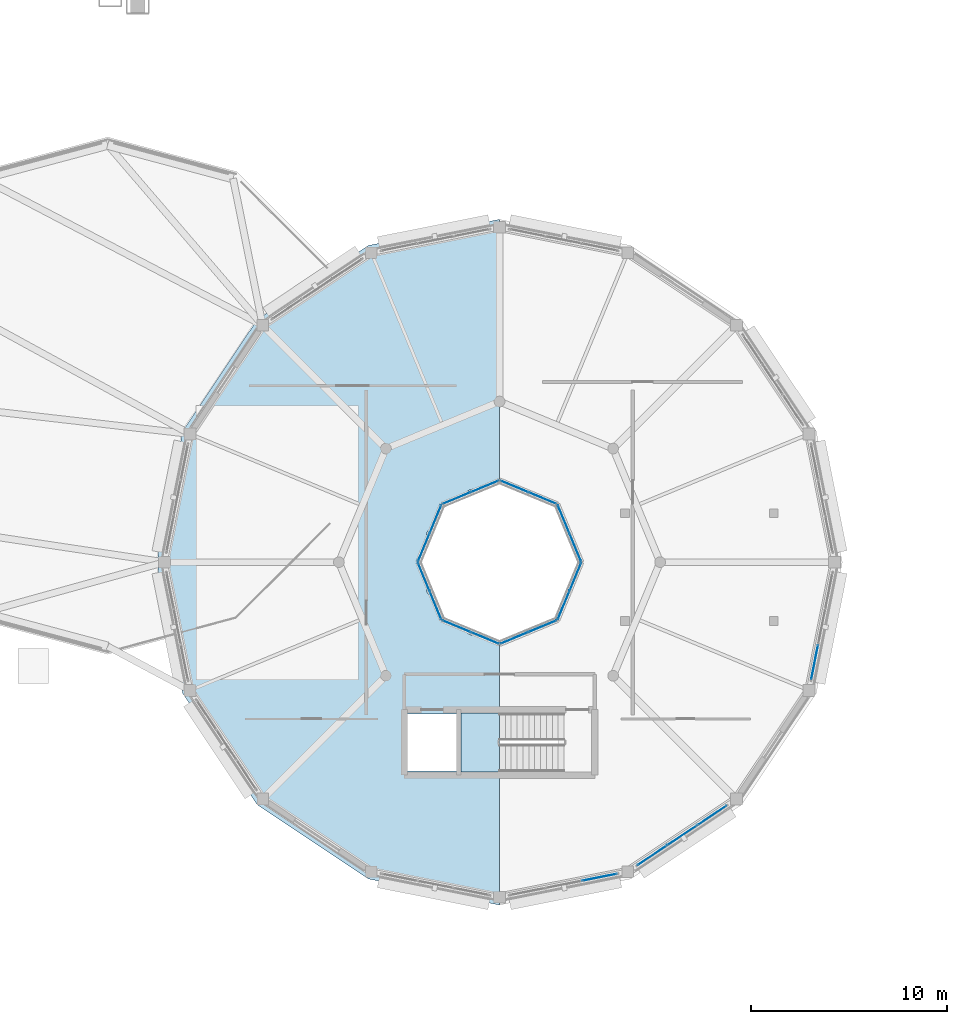
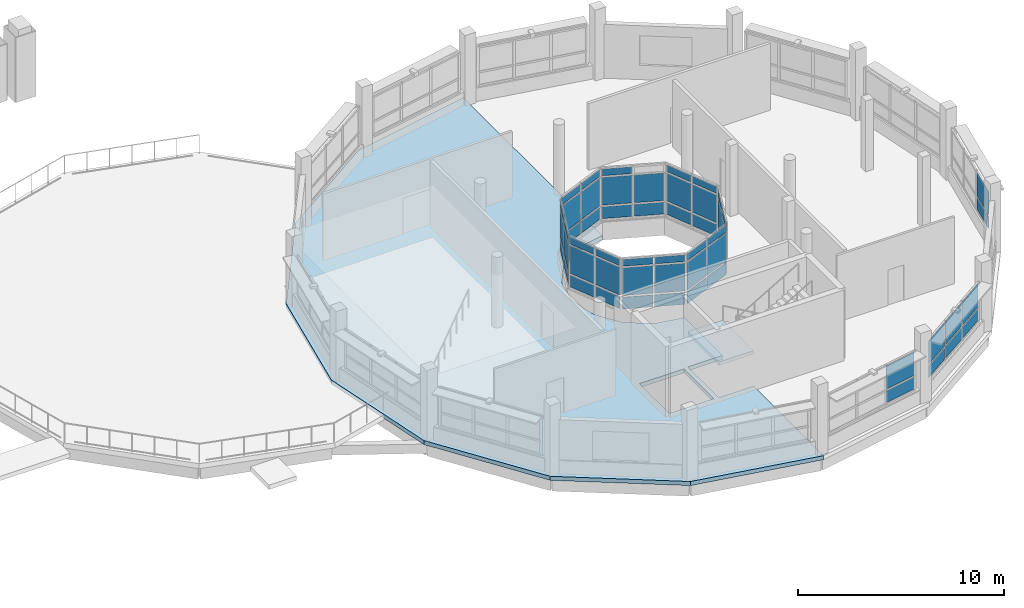
# One storey, part 105 of 128: 57 plates, 2 slabs, 12 elements without a shape of their own.
"""IFC4 building model written with IfcOpenShell, lengths in metres."""

from ifc_helpers import new_model, si_unit, direction, frame, origin, origin_2d, place, context, subcontext, project, spatial, polyline, rectangle, outline, extrude, material, layer, layer_set, type_object, element, aggregate, save


model = new_model("IFC4")

# Units and contexts
model_context = context("Model", 3, precision=1e-05, world=origin(), true_north=direction((0.0, 1.0)))
body_context = subcontext(model_context, "Body", "Model", "MODEL_VIEW")
ifc_project = project(units=[si_unit("LENGTHUNIT", "METRE"), si_unit("AREAUNIT", "SQUARE_METRE"), si_unit("VOLUMEUNIT", "CUBIC_METRE"), si_unit("PLANEANGLEUNIT", "RADIAN"), si_unit("MASSUNIT", "GRAM", prefix="KILO")], contexts=[model_context])

# Site, building, storey
site_placement = place(None, origin())
site = spatial("IfcSite", under=ifc_project, at=site_placement, CompositionType="ELEMENT")
building_placement = place(site_placement, origin())
building = spatial("IfcBuilding", under=site, at=building_placement, Name="Vespera Passage Community Centre", CompositionType="ELEMENT")
storey_placement = place(building_placement, frame((0.0, 0.0, 4.5)))
storey = spatial("IfcBuildingStorey", under=building, at=storey_placement, Name="L01", CompositionType="ELEMENT", Elevation=4.5)

# Curtain wall, plates
ifc_material_1 = material(Name="Anodized aluminium 6063-T6", Category="aluminium")
ifc_layer_1 = layer(ifc_material_1, 0.159912109375)
ifc_layer_set_1 = layer_set([ifc_layer_1], Name="Anodized aluminium 6063-T6")
curtain_wall_type_1 = type_object("IfcCurtainWallType", Name="CW-105E", PredefinedType="NOTDEFINED", material=ifc_layer_set_1)
curtain_wall_1_placement = place(storey_placement, origin())
curtain_wall_1 = element("IfcCurtainWall", 1, at=curtain_wall_1_placement, inside=storey, type_object=curtain_wall_type_1, Name="Dining Drum Ribbon Curtain Wall L01.13", PredefinedType="NOTDEFINED")
ifc_material_2 = material(Name="Low-E insulated vision glass", Category="glass")
ifc_layer_2 = layer(ifc_material_2, 0.02001953125)
ifc_layer_set_2 = layer_set([ifc_layer_2], Name="Low-E insulated vision glass")
plate_type = type_object("IfcPlateType", Name="PL-CWP-20E", PredefinedType="CURTAIN_PANEL", material=ifc_layer_set_2)
plate_1_placement = place(storey_placement, frame((146.1064453125, 8.915771484375, 0.89990234375), z_axis=(0.0, 0.0, 1.0), x_axis=(-0.980783996069, -0.195096778691, 0.0)))
plate_1 = element("IfcPlate", 2, at=plate_1_placement, type_object=plate_type, Name="CW-105E panel 1.1", PredefinedType="CURTAIN_PANEL", context=body_context, shape_type="SweptSolid", body=[
    extrude(rectangle(XDim=1.789306640625, YDim=0.02001953125, at=origin_2d()), origin(), (0.0, 0.0, 1.0), 0.699951171875),
])
plate_2_placement = place(storey_placement, frame((146.1064453125, 8.915771484375, 1.699951171875), z_axis=(0.0, 0.0, 1.0), x_axis=(-0.980783996069, -0.195096778691, 0.0)))
plate_2 = element("IfcPlate", 3, at=plate_2_placement, type_object=plate_type, Name="CW-105E panel 1.2", PredefinedType="CURTAIN_PANEL", context=body_context, shape_type="SweptSolid", body=[
    extrude(rectangle(XDim=1.789306640625, YDim=0.02001953125, at=origin_2d()), origin(), (0.0, 0.0, 1.0), 1.375),
])
aggregate(curtain_wall_1, [plate_1, plate_2])

ifc_material_3 = material(Name="Anodized aluminium 6063-T6", Category="aluminium")
ifc_layer_3 = layer(ifc_material_3, 0.159912109375)
ifc_layer_set_3 = layer_set([ifc_layer_3], Name="Anodized aluminium 6063-T6")
curtain_wall_type_2 = type_object("IfcCurtainWallType", Name="CW-106E", PredefinedType="NOTDEFINED", material=ifc_layer_set_3)
curtain_wall_2_placement = place(storey_placement, origin())
curtain_wall_2 = element("IfcCurtainWall", 4, at=curtain_wall_2_placement, inside=storey, type_object=curtain_wall_type_2, Name="Dining Drum Ribbon Curtain Wall L01.14", PredefinedType="NOTDEFINED")
plate_3_placement = place(storey_placement, frame((151.842529296875, 12.073974609375, 0.89990234375), z_axis=(0.0, 0.0, 1.0), x_axis=(-0.831473308708, -0.555564700918, 0.0)))
plate_3 = element("IfcPlate", 5, at=plate_3_placement, type_object=plate_type, Name="CW-106E panel 1.1", PredefinedType="CURTAIN_PANEL", context=body_context, shape_type="SweptSolid", body=[
    extrude(rectangle(XDim=1.752685546875, YDim=0.02001953125, at=origin_2d()), origin(), (0.0, 0.0, 1.0), 0.699951171875),
])
plate_4_placement = place(storey_placement, frame((151.842529296875, 12.073974609375, 1.699951171875), z_axis=(0.0, 0.0, 1.0), x_axis=(-0.831473308708, -0.555564700918, 0.0)))
plate_4 = element("IfcPlate", 6, at=plate_4_placement, type_object=plate_type, Name="CW-106E panel 1.2", PredefinedType="CURTAIN_PANEL", context=body_context, shape_type="SweptSolid", body=[
    extrude(rectangle(XDim=1.752685546875, YDim=0.02001953125, at=origin_2d()), origin(), (0.0, 0.0, 1.0), 1.375),
])
plate_5_placement = place(storey_placement, frame((150.317626953125, 11.05517578125, 0.89990234375), z_axis=(0.0, 0.0, 1.0), x_axis=(-0.831473308708, -0.555564700918, 0.0)))
plate_5 = element("IfcPlate", 7, at=plate_5_placement, type_object=plate_type, Name="CW-106E panel 2.1", PredefinedType="CURTAIN_PANEL", context=body_context, shape_type="SweptSolid", body=[
    extrude(rectangle(XDim=1.78515625, YDim=0.02001953125, at=origin_2d()), origin(), (0.0, 0.0, 1.0), 0.699951171875),
])
plate_6_placement = place(storey_placement, frame((150.317626953125, 11.05517578125, 1.699951171875), z_axis=(0.0, 0.0, 1.0), x_axis=(-0.831473308708, -0.555564700918, 0.0)))
plate_6 = element("IfcPlate", 8, at=plate_6_placement, type_object=plate_type, Name="CW-106E panel 2.2", PredefinedType="CURTAIN_PANEL", context=body_context, shape_type="SweptSolid", body=[
    extrude(rectangle(XDim=1.78515625, YDim=0.02001953125, at=origin_2d()), origin(), (0.0, 0.0, 1.0), 1.375),
])
plate_7_placement = place(storey_placement, frame((148.79296875, 10.036376953125, 0.89990234375), z_axis=(0.0, 0.0, 1.0), x_axis=(-0.831473308708, -0.555564700918, 0.0)))
plate_7 = element("IfcPlate", 9, at=plate_7_placement, type_object=plate_type, Name="CW-106E panel 3.1", PredefinedType="CURTAIN_PANEL", context=body_context, shape_type="SweptSolid", body=[
    extrude(rectangle(XDim=1.752685546875, YDim=0.02001953125, at=origin_2d()), origin(), (0.0, 0.0, 1.0), 0.699951171875),
])
plate_8_placement = place(storey_placement, frame((148.79296875, 10.036376953125, 1.699951171875), z_axis=(0.0, 0.0, 1.0), x_axis=(-0.831473308708, -0.555564700918, 0.0)))
plate_8 = element("IfcPlate", 10, at=plate_8_placement, type_object=plate_type, Name="CW-106E panel 3.2", PredefinedType="CURTAIN_PANEL", context=body_context, shape_type="SweptSolid", body=[
    extrude(rectangle(XDim=1.752685546875, YDim=0.02001953125, at=origin_2d()), origin(), (0.0, 0.0, 1.0), 1.375),
])
aggregate(curtain_wall_2, [plate_3, plate_4, plate_5, plate_6, plate_7, plate_8])

curtain_wall_3_placement = place(storey_placement, origin())
curtain_wall_3 = element("IfcCurtainWall", 11, at=curtain_wall_3_placement, inside=storey, type_object=curtain_wall_type_1, Name="Dining Drum Ribbon Curtain Wall L01.16", PredefinedType="NOTDEFINED")
plate_9_placement = place(storey_placement, frame((157.084228515625, 19.8935546875, 0.89990234375), z_axis=(0.0, 0.0, 1.0), x_axis=(-0.195096778691, -0.980783996069, 0.0)))
plate_9 = element("IfcPlate", 12, at=plate_9_placement, type_object=plate_type, Name="CW-105E panel 3.1", PredefinedType="CURTAIN_PANEL", context=body_context, shape_type="SweptSolid", body=[
    extrude(rectangle(XDim=1.789306640625, YDim=0.02001953125, at=origin_2d()), origin(), (0.0, 0.0, 1.0), 0.699951171875),
])
plate_10_placement = place(storey_placement, frame((157.084228515625, 19.8935546875, 1.699951171875), z_axis=(0.0, 0.0, 1.0), x_axis=(-0.195096778691, -0.980783996069, 0.0)))
plate_10 = element("IfcPlate", 13, at=plate_10_placement, type_object=plate_type, Name="CW-105E panel 3.2", PredefinedType="CURTAIN_PANEL", context=body_context, shape_type="SweptSolid", body=[
    extrude(rectangle(XDim=1.789306640625, YDim=0.02001953125, at=origin_2d()), origin(), (0.0, 0.0, 1.0), 1.375),
])
aggregate(curtain_wall_3, [plate_9, plate_10])

ifc_material_4 = material(Name="Anodized aluminium 6063-T6", Category="aluminium")
ifc_layer_4 = layer(ifc_material_4, 0.159912109375)
ifc_layer_set_4 = layer_set([ifc_layer_4], Name="Anodized aluminium 6063-T6")
curtain_wall_type_3 = type_object("IfcCurtainWallType", Name="CW-107E", PredefinedType="NOTDEFINED", material=ifc_layer_set_4)
curtain_wall_4_placement = place(storey_placement, origin())
curtain_wall_4 = element("IfcCurtainWall", 14, at=curtain_wall_4_placement, inside=storey, type_object=curtain_wall_type_3, Name="V3 L01 Inner Court Ribbon Curtain Wall 1", PredefinedType="NOTDEFINED")
plate_11_placement = place(storey_placement, frame((144.86767578125, 25.75390625, 0.89990234375), z_axis=(0.0, 0.0, 1.0), x_axis=(-0.382685826549, 0.923878540804, 0.0)))
plate_11 = element("IfcPlate", 15, at=plate_11_placement, type_object=plate_type, Name="CW-107E panel 1.1", PredefinedType="CURTAIN_PANEL", context=body_context, shape_type="SweptSolid", body=[
    extrude(rectangle(XDim=1.502197265625, YDim=0.02001953125, at=origin_2d()), origin(), (0.0, 0.0, 1.0), 0.699951171875),
])
plate_12_placement = place(storey_placement, frame((144.86767578125, 25.75390625, 1.7001953125), z_axis=(0.0, 0.0, 1.0), x_axis=(-0.382685826549, 0.923878540804, 0.0)))
plate_12 = element("IfcPlate", 16, at=plate_12_placement, type_object=plate_type, Name="CW-107E panel 1.2", PredefinedType="CURTAIN_PANEL", context=body_context, shape_type="SweptSolid", body=[
    extrude(rectangle(XDim=1.502197265625, YDim=0.02001953125, at=origin_2d()), origin(), (0.0, 0.0, 1.0), 1.639892578125),
])
plate_13_placement = place(storey_placement, frame((144.86767578125, 25.75390625, 3.43994140625), z_axis=(0.0, 0.0, 1.0), x_axis=(-0.382685826549, 0.923878540804, 0.0)))
plate_13 = element("IfcPlate", 17, at=plate_13_placement, type_object=plate_type, Name="CW-107E panel 1.3", PredefinedType="CURTAIN_PANEL", context=body_context, shape_type="SweptSolid", body=[
    extrude(rectangle(XDim=1.502197265625, YDim=0.02001953125, at=origin_2d()), origin(), (0.0, 0.0, 1.0), 0.39990234375),
])
plate_14_placement = place(storey_placement, frame((144.26806640625, 27.20166015625, 0.89990234375), z_axis=(0.0, 0.0, 1.0), x_axis=(-0.382685826549, 0.923878540804, 0.0)))
plate_14 = element("IfcPlate", 18, at=plate_14_placement, type_object=plate_type, Name="CW-107E panel 2.1", PredefinedType="CURTAIN_PANEL", context=body_context, shape_type="SweptSolid", body=[
    extrude(rectangle(XDim=1.502197265625, YDim=0.02001953125, at=origin_2d()), origin(), (0.0, 0.0, 1.0), 0.699951171875),
])
plate_15_placement = place(storey_placement, frame((144.26806640625, 27.20166015625, 1.7001953125), z_axis=(0.0, 0.0, 1.0), x_axis=(-0.382685826549, 0.923878540804, 0.0)))
plate_15 = element("IfcPlate", 19, at=plate_15_placement, type_object=plate_type, Name="CW-107E panel 2.2", PredefinedType="CURTAIN_PANEL", context=body_context, shape_type="SweptSolid", body=[
    extrude(rectangle(XDim=1.502197265625, YDim=0.02001953125, at=origin_2d()), origin(), (0.0, 0.0, 1.0), 1.639892578125),
])
plate_16_placement = place(storey_placement, frame((144.26806640625, 27.20166015625, 3.43994140625), z_axis=(0.0, 0.0, 1.0), x_axis=(-0.382685826549, 0.923878540804, 0.0)))
plate_16 = element("IfcPlate", 20, at=plate_16_placement, type_object=plate_type, Name="CW-107E panel 2.3", PredefinedType="CURTAIN_PANEL", context=body_context, shape_type="SweptSolid", body=[
    extrude(rectangle(XDim=1.502197265625, YDim=0.02001953125, at=origin_2d()), origin(), (0.0, 0.0, 1.0), 0.39990234375),
])
aggregate(curtain_wall_4, [plate_11, plate_12, plate_13, plate_14, plate_15, plate_16])

curtain_wall_5_placement = place(storey_placement, origin())
curtain_wall_5 = element("IfcCurtainWall", 21, at=curtain_wall_5_placement, inside=storey, type_object=curtain_wall_type_3, Name="V3 L01 Inner Court Ribbon Curtain Wall 2", PredefinedType="NOTDEFINED")
plate_17_placement = place(storey_placement, frame((143.20166015625, 28.26806640625, 0.89990234375), z_axis=(0.0, 0.0, 1.0), x_axis=(-0.923878540804, 0.382685826549, 0.0)))
plate_17 = element("IfcPlate", 22, at=plate_17_placement, type_object=plate_type, Name="CW-107E panel 1.1", PredefinedType="CURTAIN_PANEL", context=body_context, shape_type="SweptSolid", body=[
    extrude(rectangle(XDim=1.502197265625, YDim=0.02001953125, at=origin_2d()), origin(), (0.0, 0.0, 1.0), 0.699951171875),
])
plate_18_placement = place(storey_placement, frame((143.20166015625, 28.26806640625, 1.7001953125), z_axis=(0.0, 0.0, 1.0), x_axis=(-0.923878540804, 0.382685826549, 0.0)))
plate_18 = element("IfcPlate", 23, at=plate_18_placement, type_object=plate_type, Name="CW-107E panel 1.2", PredefinedType="CURTAIN_PANEL", context=body_context, shape_type="SweptSolid", body=[
    extrude(rectangle(XDim=1.502197265625, YDim=0.02001953125, at=origin_2d()), origin(), (0.0, 0.0, 1.0), 1.639892578125),
])
plate_19_placement = place(storey_placement, frame((141.75390625, 28.86767578125, 0.89990234375), z_axis=(0.0, 0.0, 1.0), x_axis=(-0.923878540804, 0.382685826549, 0.0)))
plate_19 = element("IfcPlate", 24, at=plate_19_placement, type_object=plate_type, Name="CW-107E panel 2.1", PredefinedType="CURTAIN_PANEL", context=body_context, shape_type="SweptSolid", body=[
    extrude(rectangle(XDim=1.502197265625, YDim=0.02001953125, at=origin_2d()), origin(), (0.0, 0.0, 1.0), 0.699951171875),
])
plate_20_placement = place(storey_placement, frame((141.75390625, 28.86767578125, 1.7001953125), z_axis=(0.0, 0.0, 1.0), x_axis=(-0.923878540804, 0.382685826549, 0.0)))
plate_20 = element("IfcPlate", 25, at=plate_20_placement, type_object=plate_type, Name="CW-107E panel 2.2", PredefinedType="CURTAIN_PANEL", context=body_context, shape_type="SweptSolid", body=[
    extrude(rectangle(XDim=1.502197265625, YDim=0.02001953125, at=origin_2d()), origin(), (0.0, 0.0, 1.0), 1.639892578125),
])
plate_21_placement = place(storey_placement, frame((141.75390625, 28.86767578125, 3.43994140625), z_axis=(0.0, 0.0, 1.0), x_axis=(-0.923878540804, 0.382685826549, 0.0)))
plate_21 = element("IfcPlate", 26, at=plate_21_placement, type_object=plate_type, Name="CW-107E panel 2.3", PredefinedType="CURTAIN_PANEL", context=body_context, shape_type="SweptSolid", body=[
    extrude(rectangle(XDim=1.502197265625, YDim=0.02001953125, at=origin_2d()), origin(), (0.0, 0.0, 1.0), 0.39990234375),
])
aggregate(curtain_wall_5, [plate_17, plate_18, plate_19, plate_20, plate_21])

curtain_wall_6_placement = place(storey_placement, origin())
curtain_wall_6 = element("IfcCurtainWall", 27, at=curtain_wall_6_placement, inside=storey, type_object=curtain_wall_type_3, Name="V3 L01 Inner Court Ribbon Curtain Wall 3", PredefinedType="NOTDEFINED")
plate_22_placement = place(storey_placement, frame((140.24609375, 28.86767578125, 0.89990234375), z_axis=(0.0, 0.0, 1.0), x_axis=(-0.923878540804, -0.382685826549, 0.0)))
plate_22 = element("IfcPlate", 28, at=plate_22_placement, type_object=plate_type, Name="CW-107E panel 1.1", PredefinedType="CURTAIN_PANEL", context=body_context, shape_type="SweptSolid", body=[
    extrude(rectangle(XDim=1.502197265625, YDim=0.02001953125, at=origin_2d()), origin(), (0.0, 0.0, 1.0), 0.699951171875),
])
plate_23_placement = place(storey_placement, frame((140.24609375, 28.86767578125, 1.7001953125), z_axis=(0.0, 0.0, 1.0), x_axis=(-0.923878540804, -0.382685826549, 0.0)))
plate_23 = element("IfcPlate", 29, at=plate_23_placement, type_object=plate_type, Name="CW-107E panel 1.2", PredefinedType="CURTAIN_PANEL", context=body_context, shape_type="SweptSolid", body=[
    extrude(rectangle(XDim=1.502197265625, YDim=0.02001953125, at=origin_2d()), origin(), (0.0, 0.0, 1.0), 1.639892578125),
])
plate_24_placement = place(storey_placement, frame((140.24609375, 28.86767578125, 3.43994140625), z_axis=(0.0, 0.0, 1.0), x_axis=(-0.923878540804, -0.382685826549, 0.0)))
plate_24 = element("IfcPlate", 30, at=plate_24_placement, type_object=plate_type, Name="CW-107E panel 1.3", PredefinedType="CURTAIN_PANEL", context=body_context, shape_type="SweptSolid", body=[
    extrude(rectangle(XDim=1.502197265625, YDim=0.02001953125, at=origin_2d()), origin(), (0.0, 0.0, 1.0), 0.39990234375),
])
plate_25_placement = place(storey_placement, frame((138.79833984375, 28.26806640625, 0.89990234375), z_axis=(0.0, 0.0, 1.0), x_axis=(-0.923878540804, -0.382685826549, 0.0)))
plate_25 = element("IfcPlate", 31, at=plate_25_placement, type_object=plate_type, Name="CW-107E panel 2.1", PredefinedType="CURTAIN_PANEL", context=body_context, shape_type="SweptSolid", body=[
    extrude(rectangle(XDim=1.502197265625, YDim=0.02001953125, at=origin_2d()), origin(), (0.0, 0.0, 1.0), 0.699951171875),
])
plate_26_placement = place(storey_placement, frame((138.79833984375, 28.26806640625, 1.7001953125), z_axis=(0.0, 0.0, 1.0), x_axis=(-0.923878540804, -0.382685826549, 0.0)))
plate_26 = element("IfcPlate", 32, at=plate_26_placement, type_object=plate_type, Name="CW-107E panel 2.2", PredefinedType="CURTAIN_PANEL", context=body_context, shape_type="SweptSolid", body=[
    extrude(rectangle(XDim=1.502197265625, YDim=0.02001953125, at=origin_2d()), origin(), (0.0, 0.0, 1.0), 1.639892578125),
])
plate_27_placement = place(storey_placement, frame((138.79833984375, 28.26806640625, 3.43994140625), z_axis=(0.0, 0.0, 1.0), x_axis=(-0.923878540804, -0.382685826549, 0.0)))
plate_27 = element("IfcPlate", 33, at=plate_27_placement, type_object=plate_type, Name="CW-107E panel 2.3", PredefinedType="CURTAIN_PANEL", context=body_context, shape_type="SweptSolid", body=[
    extrude(rectangle(XDim=1.502197265625, YDim=0.02001953125, at=origin_2d()), origin(), (0.0, 0.0, 1.0), 0.39990234375),
])
aggregate(curtain_wall_6, [plate_22, plate_23, plate_24, plate_25, plate_26, plate_27])

curtain_wall_7_placement = place(storey_placement, origin())
curtain_wall_7 = element("IfcCurtainWall", 34, at=curtain_wall_7_placement, inside=storey, type_object=curtain_wall_type_3, Name="V3 L01 Inner Court Ribbon Curtain Wall 4", PredefinedType="NOTDEFINED")
plate_28_placement = place(storey_placement, frame((137.73193359375, 27.20166015625, 0.89990234375), z_axis=(0.0, 0.0, 1.0), x_axis=(-0.382685826549, -0.923878540804, 0.0)))
plate_28 = element("IfcPlate", 35, at=plate_28_placement, type_object=plate_type, Name="CW-107E panel 1.1", PredefinedType="CURTAIN_PANEL", context=body_context, shape_type="SweptSolid", body=[
    extrude(rectangle(XDim=1.502197265625, YDim=0.02001953125, at=origin_2d()), origin(), (0.0, 0.0, 1.0), 0.699951171875),
])
plate_29_placement = place(storey_placement, frame((137.73193359375, 27.20166015625, 1.7001953125), z_axis=(0.0, 0.0, 1.0), x_axis=(-0.382685826549, -0.923878540804, 0.0)))
plate_29 = element("IfcPlate", 36, at=plate_29_placement, type_object=plate_type, Name="CW-107E panel 1.2", PredefinedType="CURTAIN_PANEL", context=body_context, shape_type="SweptSolid", body=[
    extrude(rectangle(XDim=1.502197265625, YDim=0.02001953125, at=origin_2d()), origin(), (0.0, 0.0, 1.0), 1.639892578125),
])
plate_30_placement = place(storey_placement, frame((137.73193359375, 27.20166015625, 3.43994140625), z_axis=(0.0, 0.0, 1.0), x_axis=(-0.382685826549, -0.923878540804, 0.0)))
plate_30 = element("IfcPlate", 37, at=plate_30_placement, type_object=plate_type, Name="CW-107E panel 1.3", PredefinedType="CURTAIN_PANEL", context=body_context, shape_type="SweptSolid", body=[
    extrude(rectangle(XDim=1.502197265625, YDim=0.02001953125, at=origin_2d()), origin(), (0.0, 0.0, 1.0), 0.39990234375),
])
plate_31_placement = place(storey_placement, frame((137.13232421875, 25.75390625, 0.89990234375), z_axis=(0.0, 0.0, 1.0), x_axis=(-0.382685826549, -0.923878540804, 0.0)))
plate_31 = element("IfcPlate", 38, at=plate_31_placement, type_object=plate_type, Name="CW-107E panel 2.1", PredefinedType="CURTAIN_PANEL", context=body_context, shape_type="SweptSolid", body=[
    extrude(rectangle(XDim=1.502197265625, YDim=0.02001953125, at=origin_2d()), origin(), (0.0, 0.0, 1.0), 0.699951171875),
])
plate_32_placement = place(storey_placement, frame((137.13232421875, 25.75390625, 1.7001953125), z_axis=(0.0, 0.0, 1.0), x_axis=(-0.382685826549, -0.923878540804, 0.0)))
plate_32 = element("IfcPlate", 39, at=plate_32_placement, type_object=plate_type, Name="CW-107E panel 2.2", PredefinedType="CURTAIN_PANEL", context=body_context, shape_type="SweptSolid", body=[
    extrude(rectangle(XDim=1.502197265625, YDim=0.02001953125, at=origin_2d()), origin(), (0.0, 0.0, 1.0), 1.639892578125),
])
plate_33_placement = place(storey_placement, frame((137.13232421875, 25.75390625, 3.43994140625), z_axis=(0.0, 0.0, 1.0), x_axis=(-0.382685826549, -0.923878540804, 0.0)))
plate_33 = element("IfcPlate", 40, at=plate_33_placement, type_object=plate_type, Name="CW-107E panel 2.3", PredefinedType="CURTAIN_PANEL", context=body_context, shape_type="SweptSolid", body=[
    extrude(rectangle(XDim=1.502197265625, YDim=0.02001953125, at=origin_2d()), origin(), (0.0, 0.0, 1.0), 0.39990234375),
])
aggregate(curtain_wall_7, [plate_28, plate_29, plate_30, plate_31, plate_32, plate_33])

curtain_wall_8_placement = place(storey_placement, origin())
curtain_wall_8 = element("IfcCurtainWall", 41, at=curtain_wall_8_placement, inside=storey, type_object=curtain_wall_type_3, Name="V3 L01 Inner Court Ribbon Curtain Wall 5", PredefinedType="NOTDEFINED")
plate_34_placement = place(storey_placement, frame((137.13232421875, 24.24609375, 0.89990234375), z_axis=(0.0, 0.0, 1.0), x_axis=(0.382685826549, -0.923878540804, 0.0)))
plate_34 = element("IfcPlate", 42, at=plate_34_placement, type_object=plate_type, Name="CW-107E panel 1.1", PredefinedType="CURTAIN_PANEL", context=body_context, shape_type="SweptSolid", body=[
    extrude(rectangle(XDim=1.502197265625, YDim=0.02001953125, at=origin_2d()), origin(), (0.0, 0.0, 1.0), 0.699951171875),
])
plate_35_placement = place(storey_placement, frame((137.13232421875, 24.24609375, 1.7001953125), z_axis=(0.0, 0.0, 1.0), x_axis=(0.382685826549, -0.923878540804, 0.0)))
plate_35 = element("IfcPlate", 43, at=plate_35_placement, type_object=plate_type, Name="CW-107E panel 1.2", PredefinedType="CURTAIN_PANEL", context=body_context, shape_type="SweptSolid", body=[
    extrude(rectangle(XDim=1.502197265625, YDim=0.02001953125, at=origin_2d()), origin(), (0.0, 0.0, 1.0), 1.639892578125),
])
plate_36_placement = place(storey_placement, frame((137.13232421875, 24.24609375, 3.43994140625), z_axis=(0.0, 0.0, 1.0), x_axis=(0.382685826549, -0.923878540804, 0.0)))
plate_36 = element("IfcPlate", 44, at=plate_36_placement, type_object=plate_type, Name="CW-107E panel 1.3", PredefinedType="CURTAIN_PANEL", context=body_context, shape_type="SweptSolid", body=[
    extrude(rectangle(XDim=1.502197265625, YDim=0.02001953125, at=origin_2d()), origin(), (0.0, 0.0, 1.0), 0.39990234375),
])
plate_37_placement = place(storey_placement, frame((137.73193359375, 22.79833984375, 0.89990234375), z_axis=(0.0, 0.0, 1.0), x_axis=(0.382685826549, -0.923878540804, 0.0)))
plate_37 = element("IfcPlate", 45, at=plate_37_placement, type_object=plate_type, Name="CW-107E panel 2.1", PredefinedType="CURTAIN_PANEL", context=body_context, shape_type="SweptSolid", body=[
    extrude(rectangle(XDim=1.502197265625, YDim=0.02001953125, at=origin_2d()), origin(), (0.0, 0.0, 1.0), 0.699951171875),
])
plate_38_placement = place(storey_placement, frame((137.73193359375, 22.79833984375, 1.7001953125), z_axis=(0.0, 0.0, 1.0), x_axis=(0.382685826549, -0.923878540804, 0.0)))
plate_38 = element("IfcPlate", 46, at=plate_38_placement, type_object=plate_type, Name="CW-107E panel 2.2", PredefinedType="CURTAIN_PANEL", context=body_context, shape_type="SweptSolid", body=[
    extrude(rectangle(XDim=1.502197265625, YDim=0.02001953125, at=origin_2d()), origin(), (0.0, 0.0, 1.0), 1.639892578125),
])
plate_39_placement = place(storey_placement, frame((137.73193359375, 22.79833984375, 3.43994140625), z_axis=(0.0, 0.0, 1.0), x_axis=(0.382685826549, -0.923878540804, 0.0)))
plate_39 = element("IfcPlate", 47, at=plate_39_placement, type_object=plate_type, Name="CW-107E panel 2.3", PredefinedType="CURTAIN_PANEL", context=body_context, shape_type="SweptSolid", body=[
    extrude(rectangle(XDim=1.502197265625, YDim=0.02001953125, at=origin_2d()), origin(), (0.0, 0.0, 1.0), 0.39990234375),
])
aggregate(curtain_wall_8, [plate_34, plate_35, plate_36, plate_37, plate_38, plate_39])

curtain_wall_9_placement = place(storey_placement, origin())
curtain_wall_9 = element("IfcCurtainWall", 48, at=curtain_wall_9_placement, inside=storey, type_object=curtain_wall_type_3, Name="V3 L01 Inner Court Ribbon Curtain Wall 6", PredefinedType="NOTDEFINED")
plate_40_placement = place(storey_placement, frame((138.79833984375, 21.73193359375, 0.89990234375), z_axis=(0.0, 0.0, 1.0), x_axis=(0.923878540804, -0.382685826549, 0.0)))
plate_40 = element("IfcPlate", 49, at=plate_40_placement, type_object=plate_type, Name="CW-107E panel 1.1", PredefinedType="CURTAIN_PANEL", context=body_context, shape_type="SweptSolid", body=[
    extrude(rectangle(XDim=1.502197265625, YDim=0.02001953125, at=origin_2d()), origin(), (0.0, 0.0, 1.0), 0.699951171875),
])
plate_41_placement = place(storey_placement, frame((138.79833984375, 21.73193359375, 1.7001953125), z_axis=(0.0, 0.0, 1.0), x_axis=(0.923878540804, -0.382685826549, 0.0)))
plate_41 = element("IfcPlate", 50, at=plate_41_placement, type_object=plate_type, Name="CW-107E panel 1.2", PredefinedType="CURTAIN_PANEL", context=body_context, shape_type="SweptSolid", body=[
    extrude(rectangle(XDim=1.502197265625, YDim=0.02001953125, at=origin_2d()), origin(), (0.0, 0.0, 1.0), 1.639892578125),
])
plate_42_placement = place(storey_placement, frame((138.79833984375, 21.73193359375, 3.43994140625), z_axis=(0.0, 0.0, 1.0), x_axis=(0.923878540804, -0.382685826549, 0.0)))
plate_42 = element("IfcPlate", 51, at=plate_42_placement, type_object=plate_type, Name="CW-107E panel 1.3", PredefinedType="CURTAIN_PANEL", context=body_context, shape_type="SweptSolid", body=[
    extrude(rectangle(XDim=1.502197265625, YDim=0.02001953125, at=origin_2d()), origin(), (0.0, 0.0, 1.0), 0.39990234375),
])
plate_43_placement = place(storey_placement, frame((140.24609375, 21.13232421875, 0.89990234375), z_axis=(0.0, 0.0, 1.0), x_axis=(0.923878540804, -0.382685826549, 0.0)))
plate_43 = element("IfcPlate", 52, at=plate_43_placement, type_object=plate_type, Name="CW-107E panel 2.1", PredefinedType="CURTAIN_PANEL", context=body_context, shape_type="SweptSolid", body=[
    extrude(rectangle(XDim=1.502197265625, YDim=0.02001953125, at=origin_2d()), origin(), (0.0, 0.0, 1.0), 0.699951171875),
])
plate_44_placement = place(storey_placement, frame((140.24609375, 21.13232421875, 1.7001953125), z_axis=(0.0, 0.0, 1.0), x_axis=(0.923878540804, -0.382685826549, 0.0)))
plate_44 = element("IfcPlate", 53, at=plate_44_placement, type_object=plate_type, Name="CW-107E panel 2.2", PredefinedType="CURTAIN_PANEL", context=body_context, shape_type="SweptSolid", body=[
    extrude(rectangle(XDim=1.502197265625, YDim=0.02001953125, at=origin_2d()), origin(), (0.0, 0.0, 1.0), 1.639892578125),
])
plate_45_placement = place(storey_placement, frame((140.24609375, 21.13232421875, 3.43994140625), z_axis=(0.0, 0.0, 1.0), x_axis=(0.923878540804, -0.382685826549, 0.0)))
plate_45 = element("IfcPlate", 54, at=plate_45_placement, type_object=plate_type, Name="CW-107E panel 2.3", PredefinedType="CURTAIN_PANEL", context=body_context, shape_type="SweptSolid", body=[
    extrude(rectangle(XDim=1.502197265625, YDim=0.02001953125, at=origin_2d()), origin(), (0.0, 0.0, 1.0), 0.39990234375),
])
aggregate(curtain_wall_9, [plate_40, plate_41, plate_42, plate_43, plate_44, plate_45])

curtain_wall_10_placement = place(storey_placement, origin())
curtain_wall_10 = element("IfcCurtainWall", 55, at=curtain_wall_10_placement, inside=storey, type_object=curtain_wall_type_3, Name="V3 L01 Inner Court Ribbon Curtain Wall 7", PredefinedType="NOTDEFINED")
plate_46_placement = place(storey_placement, frame((141.75390625, 21.13232421875, 0.89990234375), z_axis=(0.0, 0.0, 1.0), x_axis=(0.923878540804, 0.382685826549, 0.0)))
plate_46 = element("IfcPlate", 56, at=plate_46_placement, type_object=plate_type, Name="CW-107E panel 1.1", PredefinedType="CURTAIN_PANEL", context=body_context, shape_type="SweptSolid", body=[
    extrude(rectangle(XDim=1.502197265625, YDim=0.02001953125, at=origin_2d()), origin(), (0.0, 0.0, 1.0), 0.699951171875),
])
plate_47_placement = place(storey_placement, frame((141.75390625, 21.13232421875, 1.7001953125), z_axis=(0.0, 0.0, 1.0), x_axis=(0.923878540804, 0.382685826549, 0.0)))
plate_47 = element("IfcPlate", 57, at=plate_47_placement, type_object=plate_type, Name="CW-107E panel 1.2", PredefinedType="CURTAIN_PANEL", context=body_context, shape_type="SweptSolid", body=[
    extrude(rectangle(XDim=1.502197265625, YDim=0.02001953125, at=origin_2d()), origin(), (0.0, 0.0, 1.0), 1.639892578125),
])
plate_48_placement = place(storey_placement, frame((141.75390625, 21.13232421875, 3.43994140625), z_axis=(0.0, 0.0, 1.0), x_axis=(0.923878540804, 0.382685826549, 0.0)))
plate_48 = element("IfcPlate", 58, at=plate_48_placement, type_object=plate_type, Name="CW-107E panel 1.3", PredefinedType="CURTAIN_PANEL", context=body_context, shape_type="SweptSolid", body=[
    extrude(rectangle(XDim=1.502197265625, YDim=0.02001953125, at=origin_2d()), origin(), (0.0, 0.0, 1.0), 0.39990234375),
])
plate_49_placement = place(storey_placement, frame((143.20166015625, 21.73193359375, 0.89990234375), z_axis=(0.0, 0.0, 1.0), x_axis=(0.923878540804, 0.382685826549, 0.0)))
plate_49 = element("IfcPlate", 59, at=plate_49_placement, type_object=plate_type, Name="CW-107E panel 2.1", PredefinedType="CURTAIN_PANEL", context=body_context, shape_type="SweptSolid", body=[
    extrude(rectangle(XDim=1.502197265625, YDim=0.02001953125, at=origin_2d()), origin(), (0.0, 0.0, 1.0), 0.699951171875),
])
plate_50_placement = place(storey_placement, frame((143.20166015625, 21.73193359375, 1.7001953125), z_axis=(0.0, 0.0, 1.0), x_axis=(0.923878540804, 0.382685826549, 0.0)))
plate_50 = element("IfcPlate", 60, at=plate_50_placement, type_object=plate_type, Name="CW-107E panel 2.2", PredefinedType="CURTAIN_PANEL", context=body_context, shape_type="SweptSolid", body=[
    extrude(rectangle(XDim=1.502197265625, YDim=0.02001953125, at=origin_2d()), origin(), (0.0, 0.0, 1.0), 1.639892578125),
])
plate_51_placement = place(storey_placement, frame((143.20166015625, 21.73193359375, 3.43994140625), z_axis=(0.0, 0.0, 1.0), x_axis=(0.923878540804, 0.382685826549, 0.0)))
plate_51 = element("IfcPlate", 61, at=plate_51_placement, type_object=plate_type, Name="CW-107E panel 2.3", PredefinedType="CURTAIN_PANEL", context=body_context, shape_type="SweptSolid", body=[
    extrude(rectangle(XDim=1.502197265625, YDim=0.02001953125, at=origin_2d()), origin(), (0.0, 0.0, 1.0), 0.39990234375),
])
aggregate(curtain_wall_10, [plate_46, plate_47, plate_48, plate_49, plate_50, plate_51])

curtain_wall_11_placement = place(storey_placement, origin())
curtain_wall_11 = element("IfcCurtainWall", 62, at=curtain_wall_11_placement, inside=storey, type_object=curtain_wall_type_3, Name="V3 L01 Inner Court Ribbon Curtain Wall 8", PredefinedType="NOTDEFINED")
plate_52_placement = place(storey_placement, frame((144.26806640625, 22.79833984375, 0.89990234375), z_axis=(0.0, 0.0, 1.0), x_axis=(0.382685826549, 0.923878540804, 0.0)))
plate_52 = element("IfcPlate", 63, at=plate_52_placement, type_object=plate_type, Name="CW-107E panel 1.1", PredefinedType="CURTAIN_PANEL", context=body_context, shape_type="SweptSolid", body=[
    extrude(rectangle(XDim=1.502197265625, YDim=0.02001953125, at=origin_2d()), origin(), (0.0, 0.0, 1.0), 0.699951171875),
])
plate_53_placement = place(storey_placement, frame((144.26806640625, 22.79833984375, 1.7001953125), z_axis=(0.0, 0.0, 1.0), x_axis=(0.382685826549, 0.923878540804, 0.0)))
plate_53 = element("IfcPlate", 64, at=plate_53_placement, type_object=plate_type, Name="CW-107E panel 1.2", PredefinedType="CURTAIN_PANEL", context=body_context, shape_type="SweptSolid", body=[
    extrude(rectangle(XDim=1.502197265625, YDim=0.02001953125, at=origin_2d()), origin(), (0.0, 0.0, 1.0), 1.639892578125),
])
plate_54_placement = place(storey_placement, frame((144.26806640625, 22.79833984375, 3.43994140625), z_axis=(0.0, 0.0, 1.0), x_axis=(0.382685826549, 0.923878540804, 0.0)))
plate_54 = element("IfcPlate", 65, at=plate_54_placement, type_object=plate_type, Name="CW-107E panel 1.3", PredefinedType="CURTAIN_PANEL", context=body_context, shape_type="SweptSolid", body=[
    extrude(rectangle(XDim=1.502197265625, YDim=0.02001953125, at=origin_2d()), origin(), (0.0, 0.0, 1.0), 0.39990234375),
])
plate_55_placement = place(storey_placement, frame((144.86767578125, 24.24609375, 0.89990234375), z_axis=(0.0, 0.0, 1.0), x_axis=(0.382685826549, 0.923878540804, 0.0)))
plate_55 = element("IfcPlate", 66, at=plate_55_placement, type_object=plate_type, Name="CW-107E panel 2.1", PredefinedType="CURTAIN_PANEL", context=body_context, shape_type="SweptSolid", body=[
    extrude(rectangle(XDim=1.502197265625, YDim=0.02001953125, at=origin_2d()), origin(), (0.0, 0.0, 1.0), 0.699951171875),
])
plate_56_placement = place(storey_placement, frame((144.86767578125, 24.24609375, 1.7001953125), z_axis=(0.0, 0.0, 1.0), x_axis=(0.382685826549, 0.923878540804, 0.0)))
plate_56 = element("IfcPlate", 67, at=plate_56_placement, type_object=plate_type, Name="CW-107E panel 2.2", PredefinedType="CURTAIN_PANEL", context=body_context, shape_type="SweptSolid", body=[
    extrude(rectangle(XDim=1.502197265625, YDim=0.02001953125, at=origin_2d()), origin(), (0.0, 0.0, 1.0), 1.639892578125),
])
plate_57_placement = place(storey_placement, frame((144.86767578125, 24.24609375, 3.43994140625), z_axis=(0.0, 0.0, 1.0), x_axis=(0.382685826549, 0.923878540804, 0.0)))
plate_57 = element("IfcPlate", 68, at=plate_57_placement, type_object=plate_type, Name="CW-107E panel 2.3", PredefinedType="CURTAIN_PANEL", context=body_context, shape_type="SweptSolid", body=[
    extrude(rectangle(XDim=1.502197265625, YDim=0.02001953125, at=origin_2d()), origin(), (0.0, 0.0, 1.0), 0.39990234375),
])
aggregate(curtain_wall_11, [plate_52, plate_53, plate_54, plate_55, plate_56, plate_57])

# Stair, slab
ifc_material_5 = material(Name="Concrete f'c 35 MPa", Category="concrete")
stair_type = type_object("IfcStairType", Name="ST-T10", PredefinedType="HALF_TURN_STAIR", material=ifc_material_5)
stair_placement = place(storey_placement, origin())
stair = element("IfcStair", 69, at=stair_placement, inside=storey, type_object=stair_type, Name="L01 Core C7 Exit Stair ST08", PredefinedType="HALF_TURN_STAIR")
ifc_material_6 = material(Name="Concrete f'c 35 MPa", Category="concrete")
ifc_layer_5 = layer(ifc_material_6, 0.199951171875)
ifc_layer_set_5 = layer_set([ifc_layer_5], Name="Concrete f'c 35 MPa")
slab_type_1 = type_object("IfcSlabType", Name="SL-LAND-200I", PredefinedType="LANDING", material=ifc_layer_set_5)
slab_1_placement = place(storey_placement, frame((0.0, 0.0, 1.89990234375)))
slab_1 = element("IfcSlab", 70, at=slab_1_placement, type_object=slab_type_1, Name="ST08 landing 1", PredefinedType="LANDING", context=body_context, shape_type="SweptSolid", body=[
    extrude(outline(polyline([(140.9951171875, 17.300048828125), (139.044921875, 17.300048828125), (139.044921875, 14.300048828125), (140.9951171875, 14.300048828125), (140.9951171875, 17.300048828125)])), origin(), (0.0, 0.0, 1.0), 0.2001953125),
])
aggregate(stair, [slab_1])

# Slab
ifc_material_7 = material(Name="Concrete f'c 35 MPa", Category="concrete")
ifc_layer_6 = layer(ifc_material_7, 0.239990234375)
ifc_layer_set_6 = layer_set([ifc_layer_6], Name="Concrete f'c 35 MPa")
slab_type_2 = type_object("IfcSlabType", Name="SL-TYP-240", PredefinedType="FLOOR", material=ifc_layer_set_6)
slab_2_placement = place(storey_placement, frame((0.0, 0.0, -0.239990234375)))
element("IfcSlab", 71, at=slab_2_placement, inside=storey, type_object=slab_type_2, Name="V3 L01 W Sector Slab", PredefinedType="FLOOR", context=body_context, shape_type="SweptSolid", body=[
    extrude(outline(polyline([(124.83203125, 18.302978515625), (123.5, 25.0), (124.83203125, 31.697021484375), (128.62548828125, 37.37451171875), (134.302978515625, 41.16796875), (141.0, 42.5), (141.0, 29.0), (139.46923828125, 28.695556640625), (138.171630859375, 27.828369140625), (137.304443359375, 26.53076171875), (137.0, 25.0), (137.304443359375, 23.46923828125), (138.171630859375, 22.171630859375), (139.46923828125, 21.304443359375), (141.0, 21.0), (141.0, 17.300048828125), (139.044921875, 17.300048828125), (139.044921875, 14.300048828125), (141.0, 14.300048828125), (141.0, 7.5), (134.302978515625, 8.83203125), (128.62548828125, 12.62548828125), (124.83203125, 18.302978515625)]), holes=[polyline([(136.304931640625, 17.25), (136.304931640625, 14.35009765625), (138.804931640625, 14.35009765625), (138.804931640625, 17.25), (136.304931640625, 17.25)])]), origin(), (0.0, 0.0, 1.0), 0.239990234375),
])

save(model, "model.ifc")
